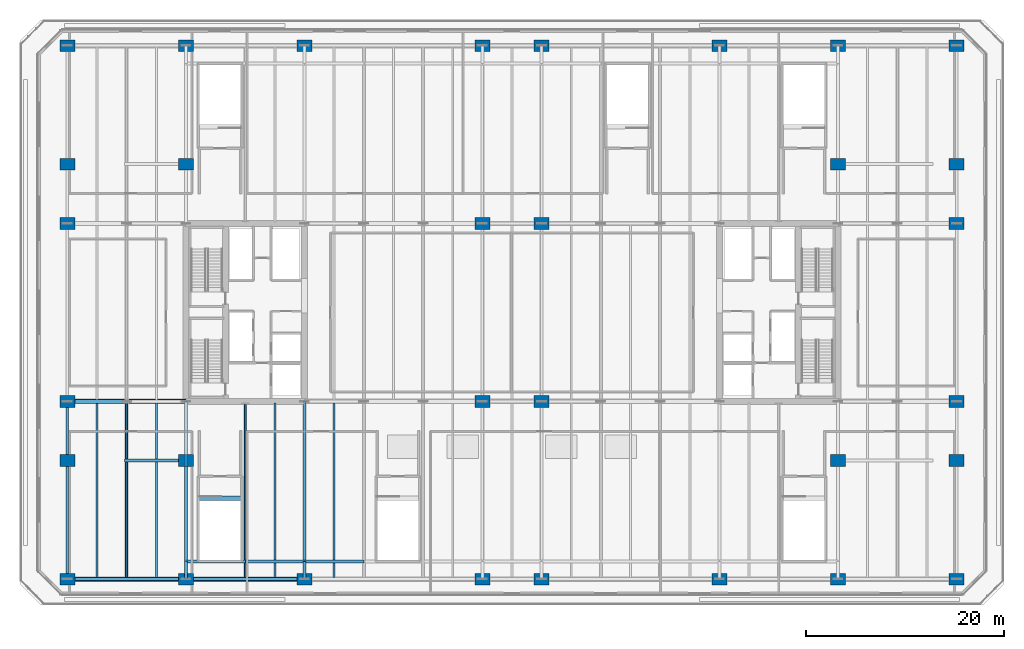
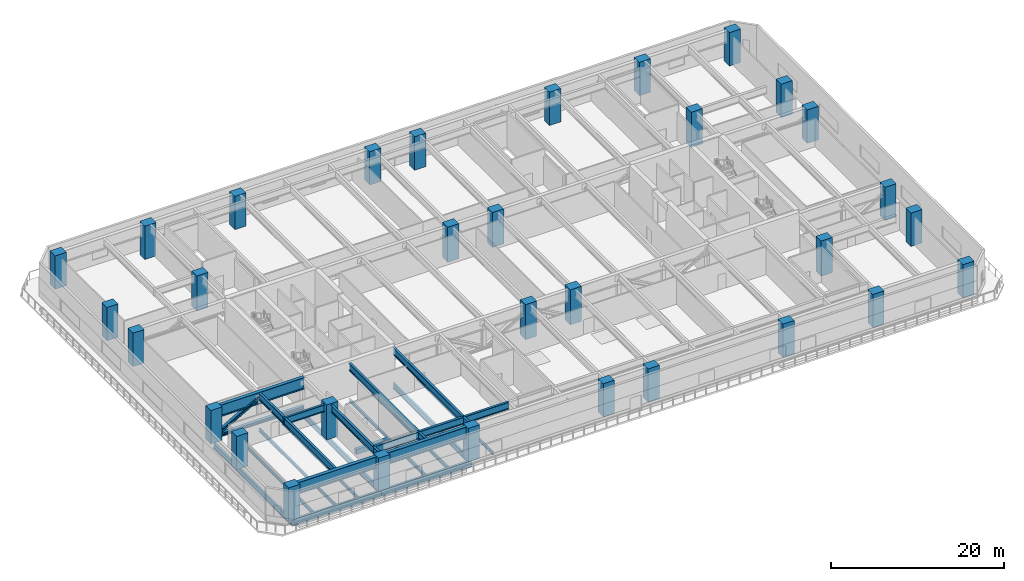
# One storey, part 1 of 25: 32 columns, 25 beams, 2 members.
"""IFC4 building model written with IfcOpenShell, lengths in metres."""

from ifc_helpers import new_model, si_unit, direction, frame, origin, origin_2d, place, context, subcontext, project, spatial, rectangle, i_section, extrude, material, material_profile, profile_set, type_object, element, save


model = new_model("IFC4")

# Units and contexts
model_context = context("Model", 3, precision=1e-05, world=origin(), true_north=direction((0.0, 1.0)))
body_context = subcontext(model_context, "Body", "Model", "MODEL_VIEW")
ifc_project = project(units=[si_unit("LENGTHUNIT", "METRE"), si_unit("AREAUNIT", "SQUARE_METRE"), si_unit("VOLUMEUNIT", "CUBIC_METRE"), si_unit("PLANEANGLEUNIT", "RADIAN"), si_unit("MASSUNIT", "GRAM", prefix="KILO")], contexts=[model_context])

# Site, building, storey
site_placement = place(None, origin())
site = spatial("IfcSite", under=ifc_project, at=site_placement, CompositionType="ELEMENT")
building_placement = place(site_placement, origin())
building = spatial("IfcBuilding", under=site, at=building_placement, Name="Tanjung Sevakor Pilgrim Tower", CompositionType="ELEMENT")
storey_placement = place(building_placement, frame((0.0, 0.0, 24.090087890625)))
storey = spatial("IfcBuildingStorey", under=building, at=storey_placement, Name="L06", CompositionType="ELEMENT", Elevation=24.090087890625)

# Columns
ifc_material_1 = material(Name="Concrete C60/75", Category="concrete")
ifc_material_profile_1 = material_profile(ifc_material_1, rectangle(XDim=1.5, YDim=1.199951171875, at=origin_2d()))
ifc_profile_set_1 = profile_set([ifc_material_profile_1], Name="Concrete C60/75")
column_type = type_object("IfcColumnType", Name="COL-C-M1500-RC_1500x1200", PredefinedType="COLUMN", material=ifc_profile_set_1)
for number, where, z_axis, x_axis, name in (
    (1, (12.0, 6.60009765625, 0.0), (0.0, 0.0, 1.0), (1.0, 0.0, 0.0), "L06 Column MC-012-066"),
    (2, (12.0, 24.60009765625, 0.0), (0.0, 0.0, 1.0), (1.0, 0.0, 0.0), "L06 Column MC-012-246"),
    (3, (12.0, 42.60009765625, 0.0), (0.0, 0.0, 1.0), (1.0, 0.0, 0.0), "L06 Column MC-012-426"),
    (4, (12.0, 60.60009765625, 0.0), (0.0, 0.0, 1.0), (1.0, 0.0, 0.0), "L06 Column MC-012-606"),
    (5, (24.0, 6.60009765625, 0.0), (0.0, 0.0, 1.0), (1.0, 0.0, 0.0), "L06 Column MC-024-066"),
    (6, (24.0, 60.60009765625, 0.0), (0.0, 0.0, 1.0), (1.0, 0.0, 0.0), "L06 Column MC-024-606"),
    (7, (36.0, 6.60009765625, 0.0), (0.0, 0.0, 1.0), (1.0, 0.0, 0.0), "L06 Column MC-036-066"),
    (8, (36.0, 60.60009765625, 0.0), (0.0, 0.0, 1.0), (1.0, 0.0, 0.0), "L06 Column MC-036-606"),
    (9, (54.0, 6.60009765625, 0.0), (0.0, 0.0, 1.0), (1.0, 0.0, 0.0), "L06 Column MC-054-066"),
):
    element("IfcColumn", number, at=place(storey_placement, frame(where, z_axis=z_axis, x_axis=x_axis)), inside=storey, type_object=column_type, Name=name, PredefinedType="COLUMN", context=body_context, shape_type="SweptSolid", body=[
        extrude(rectangle(XDim=1.5, YDim=1.199951171875, at=origin_2d()), origin(), (0.0, 0.0, 1.0), 4.7099609375),
    ])
for number, where, z_axis, x_axis, name in (
    (10, (54.0, 24.60009765625, 0.0), (0.0, 0.0, 1.0), (1.0, 0.0, 0.0), "L06 Column MC-054-246"),
    (11, (54.0, 42.60009765625, 0.0), (0.0, 0.0, 1.0), (1.0, 0.0, 0.0), "L06 Column MC-054-426"),
):
    element("IfcColumn", number, at=place(storey_placement, frame(where, z_axis=z_axis, x_axis=x_axis)), inside=storey, type_object=column_type, Name=name, PredefinedType="COLUMN", context=body_context, shape_type="SweptSolid", body=[
        extrude(rectangle(XDim=1.5, YDim=1.199951171875, at=origin_2d()), origin(), (0.0, 0.0, 1.0), 4.949951171875),
    ])
for number, where, z_axis, x_axis, name in (
    (12, (54.0, 60.60009765625, 0.0), (0.0, 0.0, 1.0), (1.0, 0.0, 0.0), "L06 Column MC-054-606"),
    (13, (60.0, 6.60009765625, 0.0), (0.0, 0.0, 1.0), (1.0, 0.0, 0.0), "L06 Column MC-060-066"),
):
    element("IfcColumn", number, at=place(storey_placement, frame(where, z_axis=z_axis, x_axis=x_axis)), inside=storey, type_object=column_type, Name=name, PredefinedType="COLUMN", context=body_context, shape_type="SweptSolid", body=[
        extrude(rectangle(XDim=1.5, YDim=1.199951171875, at=origin_2d()), origin(), (0.0, 0.0, 1.0), 4.7099609375),
    ])
for number, where, z_axis, x_axis, name in (
    (14, (60.0, 24.60009765625, 0.0), (0.0, 0.0, 1.0), (1.0, 0.0, 0.0), "L06 Column MC-060-246"),
    (15, (60.0, 42.60009765625, 0.0), (0.0, 0.0, 1.0), (1.0, 0.0, 0.0), "L06 Column MC-060-426"),
):
    element("IfcColumn", number, at=place(storey_placement, frame(where, z_axis=z_axis, x_axis=x_axis)), inside=storey, type_object=column_type, Name=name, PredefinedType="COLUMN", context=body_context, shape_type="SweptSolid", body=[
        extrude(rectangle(XDim=1.5, YDim=1.199951171875, at=origin_2d()), origin(), (0.0, 0.0, 1.0), 4.949951171875),
    ])
for number, where, z_axis, x_axis, name in (
    (16, (60.0, 60.60009765625, 0.0), (0.0, 0.0, 1.0), (1.0, 0.0, 0.0), "L06 Column MC-060-606"),
    (17, (78.0, 6.60009765625, 0.0), (0.0, 0.0, 1.0), (1.0, 0.0, 0.0), "L06 Column MC-078-066"),
    (18, (78.0, 60.60009765625, 0.0), (0.0, 0.0, 1.0), (1.0, 0.0, 0.0), "L06 Column MC-078-606"),
    (19, (90.0, 6.60009765625, 0.0), (0.0, 0.0, 1.0), (1.0, 0.0, 0.0), "L06 Column MC-090-066"),
    (20, (90.0, 60.60009765625, 0.0), (0.0, 0.0, 1.0), (1.0, 0.0, 0.0), "L06 Column MC-090-606"),
    (21, (102.0, 6.60009765625, 0.0), (0.0, 0.0, 1.0), (1.0, 0.0, 0.0), "L06 Column MC-102-066"),
    (22, (102.0, 24.60009765625, 0.0), (0.0, 0.0, 1.0), (1.0, 0.0, 0.0), "L06 Column MC-102-246"),
    (23, (102.0, 42.60009765625, 0.0), (0.0, 0.0, 1.0), (1.0, 0.0, 0.0), "L06 Column MC-102-426"),
    (24, (102.0, 60.60009765625, 0.0), (0.0, 0.0, 1.0), (1.0, 0.0, 0.0), "L06 Column MC-102-606"),
    (25, (12.0, 18.60009765625, 0.0), (0.0, 0.0, 1.0), (1.0, 0.0, 0.0), "L06 Column MCE-012-186"),
    (26, (12.0, 48.60009765625, 0.0), (0.0, 0.0, 1.0), (1.0, 0.0, 0.0), "L06 Column MCE-012-486"),
):
    element("IfcColumn", number, at=place(storey_placement, frame(where, z_axis=z_axis, x_axis=x_axis)), inside=storey, type_object=column_type, Name=name, PredefinedType="COLUMN", context=body_context, shape_type="SweptSolid", body=[
        extrude(rectangle(XDim=1.5, YDim=1.199951171875, at=origin_2d()), origin(), (0.0, 0.0, 1.0), 4.7099609375),
    ])
for number, where, z_axis, x_axis, name in (
    (27, (24.0, 18.60009765625, 0.0), (0.0, 0.0, 1.0), (1.0, 0.0, 0.0), "L06 Column MCE-024-186"),
    (28, (24.0, 48.60009765625, 0.0), (0.0, 0.0, 1.0), (1.0, 0.0, 0.0), "L06 Column MCE-024-486"),
    (29, (90.0, 18.60009765625, 0.0), (0.0, 0.0, 1.0), (1.0, 0.0, 0.0), "L06 Column MCE-090-186"),
    (30, (90.0, 48.60009765625, 0.0), (0.0, 0.0, 1.0), (1.0, 0.0, 0.0), "L06 Column MCE-090-486"),
):
    element("IfcColumn", number, at=place(storey_placement, frame(where, z_axis=z_axis, x_axis=x_axis)), inside=storey, type_object=column_type, Name=name, PredefinedType="COLUMN", context=body_context, shape_type="SweptSolid", body=[
        extrude(rectangle(XDim=1.5, YDim=1.199951171875, at=origin_2d()), origin(), (0.0, 0.0, 1.0), 4.949951171875),
    ])
for number, where, z_axis, x_axis, name in (
    (31, (102.0, 18.60009765625, 0.0), (0.0, 0.0, 1.0), (1.0, 0.0, 0.0), "L06 Column MCE-102-186"),
    (32, (102.0, 48.60009765625, 0.0), (0.0, 0.0, 1.0), (1.0, 0.0, 0.0), "L06 Column MCE-102-486"),
):
    element("IfcColumn", number, at=place(storey_placement, frame(where, z_axis=z_axis, x_axis=x_axis)), inside=storey, type_object=column_type, Name=name, PredefinedType="COLUMN", context=body_context, shape_type="SweptSolid", body=[
        extrude(rectangle(XDim=1.5, YDim=1.199951171875, at=origin_2d()), origin(), (0.0, 0.0, 1.0), 4.7099609375),
    ])

# Beams
ifc_material_2 = material(Name="Steel S355J2", Category="steel")
ifc_material_profile_2 = material_profile(ifc_material_2, i_section(OverallWidth=0.26806640625, OverallDepth=0.769775390625, WebThickness=0.015625, FlangeThickness=0.025390625, FilletRadius=0.0166015625, at=origin_2d()))
ifc_profile_set_2 = profile_set([ifc_material_profile_2], Name="Steel S355J2")
beam_type_1 = type_object("IfcBeamType", Name="BM-B-G1-UB_762x267x197", PredefinedType="BEAM", material=ifc_profile_set_2)
for number, where, z_axis, x_axis, name in (
    (33, (12.0, 6.60009765625, -0.735107421875), (0.0, 1.0, 0.0), (-1.0, 0.0, 0.0), "L06 Podium Girder NS X12-1"),
    (34, (24.0, 6.60009765625, -0.735107421875), (0.0, 1.0, 0.0), (-1.0, 0.0, 0.0), "L06 Podium Girder NS X24-1"),
    (35, (36.0, 6.60009765625, -0.735107421875), (0.0, 1.0, 0.0), (-1.0, 0.0, 0.0), "L06 Podium Girder NS X36-1"),
):
    element("IfcBeam", number, at=place(storey_placement, frame(where, z_axis=z_axis, x_axis=x_axis)), inside=storey, type_object=beam_type_1, Name=name, PredefinedType="BEAM", context=body_context, shape_type="SweptSolid", body=[
        extrude(i_section(OverallWidth=0.26806640625, OverallDepth=0.769775390625, WebThickness=0.015625, FlangeThickness=0.025390625, FilletRadius=0.0166015625, at=origin_2d()), origin(), (0.0, 0.0, 1.0), 18.0),
    ])
ifc_material_3 = material(Name="Steel S460M", Category="steel")
ifc_material_profile_3 = material_profile(ifc_material_3, i_section(OverallWidth=0.302001953125, OverallDepth=1.008056640625, WebThickness=0.02099609375, FlangeThickness=0.0400390625, FilletRadius=0.030029296875, at=origin_2d()))
ifc_profile_set_3 = profile_set([ifc_material_profile_3], Name="Steel S460M")
beam_type_2 = type_object("IfcBeamType", Name="BM-B-G7-HE_1000M", PredefinedType="BEAM", material=ifc_profile_set_3)
beam_1_placement = place(storey_placement, frame((18.0, 6.824951171875, 4.205810546875), z_axis=(0.0, 1.0, 0.0), x_axis=(-1.0, 0.0, 0.0)))
element("IfcBeam", 36, at=beam_1_placement, inside=storey, type_object=beam_type_2, Name="TC-2 L06 Transfer Truss Chord NS X18.0-1", PredefinedType="BEAM", context=body_context, shape_type="SweptSolid", body=[
    extrude(i_section(OverallWidth=0.302001953125, OverallDepth=1.008056640625, WebThickness=0.02099609375, FlangeThickness=0.0400390625, FilletRadius=0.030029296875, at=origin_2d()), origin(), (0.0, 0.0, 1.0), 17.550048828125),
])
beam_2_placement = place(storey_placement, frame((24.0, 6.60009765625, 4.205810546875), z_axis=(0.0, 1.0, 0.0), x_axis=(-1.0, 0.0, 0.0)))
element("IfcBeam", 37, at=beam_2_placement, inside=storey, type_object=beam_type_2, Name="TC-2 L06 Transfer Truss Chord NS X24.0-1", PredefinedType="BEAM", context=body_context, shape_type="SweptSolid", body=[
    extrude(i_section(OverallWidth=0.302001953125, OverallDepth=1.008056640625, WebThickness=0.02099609375, FlangeThickness=0.0400390625, FilletRadius=0.030029296875, at=origin_2d()), origin(), (0.0, 0.0, 1.0), 1.7998046875),
])
beam_3_placement = place(storey_placement, frame((24.0, 8.39990234375, 4.205810546875), z_axis=(0.0, 1.0, 0.0), x_axis=(-1.0, 0.0, 0.0)))
element("IfcBeam", 38, at=beam_3_placement, inside=storey, type_object=beam_type_2, Name="TC-2 L06 Transfer Truss Chord NS X24.0-2", PredefinedType="BEAM", context=body_context, shape_type="SweptSolid", body=[
    extrude(i_section(OverallWidth=0.302001953125, OverallDepth=1.008056640625, WebThickness=0.02099609375, FlangeThickness=0.0400390625, FilletRadius=0.030029296875, at=origin_2d()), origin(), (0.0, 0.0, 1.0), 10.2001953125),
])
beam_4_placement = place(storey_placement, frame((30.0, 6.824951171875, 4.205810546875), z_axis=(0.0, 1.0, 0.0), x_axis=(-1.0, 0.0, 0.0)))
element("IfcBeam", 39, at=beam_4_placement, inside=storey, type_object=beam_type_2, Name="TC-2 L06 Transfer Truss Chord NS X30.0-1", PredefinedType="BEAM", context=body_context, shape_type="SweptSolid", body=[
    extrude(i_section(OverallWidth=0.302001953125, OverallDepth=1.008056640625, WebThickness=0.02099609375, FlangeThickness=0.0400390625, FilletRadius=0.030029296875, at=origin_2d()), origin(), (0.0, 0.0, 1.0), 17.550048828125),
])
beam_5_placement = place(storey_placement, frame((36.0, 6.60009765625, 4.205810546875), z_axis=(0.0, 1.0, 0.0), x_axis=(-1.0, 0.0, 0.0)))
element("IfcBeam", 40, at=beam_5_placement, inside=storey, type_object=beam_type_2, Name="TC-2 L06 Transfer Truss Chord NS X36.0-1", PredefinedType="BEAM", context=body_context, shape_type="SweptSolid", body=[
    extrude(i_section(OverallWidth=0.302001953125, OverallDepth=1.008056640625, WebThickness=0.02099609375, FlangeThickness=0.0400390625, FilletRadius=0.030029296875, at=origin_2d()), origin(), (0.0, 0.0, 1.0), 1.7998046875),
])
beam_6_placement = place(storey_placement, frame((36.0, 8.39990234375, 4.205810546875), z_axis=(0.0, 1.0, 0.0), x_axis=(-1.0, 0.0, 0.0)))
element("IfcBeam", 41, at=beam_6_placement, inside=storey, type_object=beam_type_2, Name="TC-2 L06 Transfer Truss Chord NS X36.0-2", PredefinedType="BEAM", context=body_context, shape_type="SweptSolid", body=[
    extrude(i_section(OverallWidth=0.302001953125, OverallDepth=1.008056640625, WebThickness=0.02099609375, FlangeThickness=0.0400390625, FilletRadius=0.030029296875, at=origin_2d()), origin(), (0.0, 0.0, 1.0), 16.2001953125),
])
beam_7_placement = place(storey_placement, frame((17.800048828125, 18.60009765625, 4.205810546875), z_axis=(1.0, 0.0, 0.0), x_axis=(0.0, 1.0, 0.0)))
element("IfcBeam", 42, at=beam_7_placement, inside=storey, type_object=beam_type_2, Name="TC-1 L06 Short-End Transfer Girder Y18.6-1", PredefinedType="BEAM", context=body_context, shape_type="SweptSolid", body=[
    extrude(i_section(OverallWidth=0.302001953125, OverallDepth=1.008056640625, WebThickness=0.02099609375, FlangeThickness=0.0400390625, FilletRadius=0.030029296875, at=origin_2d()), origin(), (0.0, 0.0, 1.0), 6.199951171875),
])
for number, where, z_axis, x_axis, name in (
    (43, (24.0, 8.39990234375, 4.205810546875), (1.0, 0.0, 0.0), (0.0, 1.0, 0.0), "TC-3 L06 Transfer Truss Ring Chord Y8.4-01"),
    (44, (30.0, 8.39990234375, 4.205810546875), (1.0, 0.0, 0.0), (0.0, 1.0, 0.0), "TC-3 L06 Transfer Truss Ring Chord Y8.4-02"),
    (45, (36.0, 8.39990234375, 4.205810546875), (1.0, 0.0, 0.0), (0.0, 1.0, 0.0), "TC-3 L06 Transfer Truss Ring Chord Y8.4-03"),
):
    element("IfcBeam", number, at=place(storey_placement, frame(where, z_axis=z_axis, x_axis=x_axis)), inside=storey, type_object=beam_type_2, Name=name, PredefinedType="BEAM", context=body_context, shape_type="SweptSolid", body=[
        extrude(i_section(OverallWidth=0.302001953125, OverallDepth=1.008056640625, WebThickness=0.02099609375, FlangeThickness=0.0400390625, FilletRadius=0.030029296875, at=origin_2d()), origin(), (0.0, 0.0, 1.0), 6.0),
    ])
ifc_material_4 = material(Name="Steel S355J2", Category="steel")
ifc_material_profile_4 = material_profile(ifc_material_4, i_section(OverallWidth=0.19140625, OverallDepth=0.4599609375, WebThickness=0.010009765625, FlangeThickness=0.01611328125, FilletRadius=0.01025390625, at=origin_2d()))
ifc_profile_set_4 = profile_set([ifc_material_profile_4], Name="Steel S355J2")
beam_type_3 = type_object("IfcBeamType", Name="BM-B-J2-UB_457x191x82", PredefinedType="JOIST", material=ifc_profile_set_4)
for number, where, z_axis, x_axis, name in (
    (46, (15.0, 6.752685546875, -0.580078125), (0.0, 1.0, 0.0), (-1.0, 0.0, 0.0), "L06 Secondary Joist 001"),
    (47, (18.0, 6.752685546875, -0.580078125), (0.0, 1.0, 0.0), (-1.0, 0.0, 0.0), "L06 Secondary Joist 004"),
    (48, (21.0, 6.752685546875, -0.580078125), (0.0, 1.0, 0.0), (-1.0, 0.0, 0.0), "L06 Secondary Joist 007"),
    (49, (30.0, 6.752685546875, -0.580078125), (0.0, 1.0, 0.0), (-1.0, 0.0, 0.0), "L06 Secondary Joist 010"),
    (50, (33.0, 6.752685546875, -0.580078125), (0.0, 1.0, 0.0), (-1.0, 0.0, 0.0), "L06 Secondary Joist 012"),
    (51, (39.0, 6.752685546875, -0.580078125), (0.0, 1.0, 0.0), (-1.0, 0.0, 0.0), "L06 Secondary Joist 014"),
):
    element("IfcBeam", number, at=place(storey_placement, frame(where, z_axis=z_axis, x_axis=x_axis)), inside=storey, type_object=beam_type_3, Name=name, PredefinedType="JOIST", context=body_context, shape_type="SweptSolid", body=[
        extrude(i_section(OverallWidth=0.19140625, OverallDepth=0.4599609375, WebThickness=0.010009765625, FlangeThickness=0.01611328125, FilletRadius=0.01025390625, at=origin_2d()), origin(), (0.0, 0.0, 1.0), 17.694580078125),
    ])
ifc_material_5 = material(Name="Concrete C60/75", Category="concrete")
ifc_material_profile_5 = material_profile(ifc_material_5, rectangle(XDim=0.449951171875, YDim=0.699951171875, at=origin_2d()))
ifc_profile_set_5 = profile_set([ifc_material_profile_5], Name="Concrete C60/75")
beam_type_4 = type_object("IfcBeamType", Name="BM-B-LN3-RC-BM_450x700", PredefinedType="LINTEL", material=ifc_profile_set_5)
beam_8_placement = place(storey_placement, frame((25.25, 14.800048828125, -0.35009765625), z_axis=(1.0, 0.0, 0.0), x_axis=(0.0, 1.0, 0.0)))
element("IfcBeam", 52, at=beam_8_placement, inside=storey, type_object=beam_type_4, Name="L06 PS-1 Stair Threshold Beam", PredefinedType="LINTEL", context=body_context, shape_type="SweptSolid", body=[
    extrude(rectangle(XDim=0.449951171875, YDim=0.699951171875, at=origin_2d()), origin(), (0.0, 0.0, 1.0), 4.39990234375),
])
ifc_material_6 = material(Name="Steel S355J2", Category="steel")
ifc_material_profile_6 = material_profile(ifc_material_6, i_section(OverallWidth=0.305419921875, OverallDepth=0.91845703125, WebThickness=0.017333984375, FlangeThickness=0.02783203125, FilletRadius=0.01904296875, at=origin_2d()))
ifc_profile_set_6 = profile_set([ifc_material_profile_6], Name="Steel S355J2")
beam_type_5 = type_object("IfcBeamType", Name="BM-B-POD2-UB_914x305x253", PredefinedType="BEAM", material=ifc_profile_set_6)
for number, where, z_axis, x_axis, name in (
    (53, (12.0, 6.60009765625, -0.809326171875), (1.0, 0.0, 0.0), (0.0, 1.0, 0.0), "L06 Podium Girder EW Y6.6-1"),
    (54, (24.0, 6.60009765625, -0.809326171875), (1.0, 0.0, 0.0), (0.0, 1.0, 0.0), "L06 Podium Girder EW Y6.6-2"),
):
    element("IfcBeam", number, at=place(storey_placement, frame(where, z_axis=z_axis, x_axis=x_axis)), inside=storey, type_object=beam_type_5, Name=name, PredefinedType="BEAM", context=body_context, shape_type="SweptSolid", body=[
        extrude(i_section(OverallWidth=0.305419921875, OverallDepth=0.91845703125, WebThickness=0.017333984375, FlangeThickness=0.02783203125, FilletRadius=0.01904296875, at=origin_2d()), origin(), (0.0, 0.0, 1.0), 12.0),
    ])
ifc_material_7 = material(Name="Steel S460M", Category="steel")
ifc_material_profile_7 = material_profile(ifc_material_7, i_section(OverallWidth=0.449951171875, OverallDepth=1.64990234375, WebThickness=0.02392578125, FlangeThickness=0.0400390625, FilletRadius=0.02392578125, at=origin_2d()))
ifc_profile_set_7 = profile_set([ifc_material_profile_7], Name="Steel S460M")
beam_type_6 = type_object("IfcBeamType", Name="BM-B-TC1-PG_1650x450x40", PredefinedType="USERDEFINED", material=ifc_profile_set_7)
for number, where, z_axis, x_axis, name in (
    (55, (12.0, 6.60009765625, 3.885009765625), (1.0, 0.0, 0.0), (0.0, 1.0, 0.0), "TC-1 L06 Transfer Truss Top Chord Y6.6 S1"),
    (56, (24.0, 6.60009765625, 3.885009765625), (1.0, 0.0, 0.0), (0.0, 1.0, 0.0), "TC-1 L06 Transfer Truss Top Chord Y6.6 S2"),
    (57, (12.0, 24.60009765625, 3.885009765625), (1.0, 0.0, 0.0), (0.0, 1.0, 0.0), "TC-1 L06 Transfer Truss Top Chord Y24.6 S1"),
):
    element("IfcBeam", number, at=place(storey_placement, frame(where, z_axis=z_axis, x_axis=x_axis)), inside=storey, type_object=beam_type_6, Name=name, ObjectType="TRANSFER CHORD", PredefinedType="USERDEFINED", context=body_context, shape_type="SweptSolid", body=[
        extrude(i_section(OverallWidth=0.449951171875, OverallDepth=1.64990234375, WebThickness=0.02392578125, FlangeThickness=0.0400390625, FilletRadius=0.02392578125, at=origin_2d()), origin(), (0.0, 0.0, 1.0), 12.0),
    ])

# Members
ifc_material_8 = material(Name="Steel S460M", Category="steel")
ifc_material_profile_8 = material_profile(ifc_material_8, i_section(OverallWidth=0.412109375, OverallDepth=0.43505859375, WebThickness=0.035888671875, FlangeThickness=0.054931640625, FilletRadius=0.014892578125, at=origin_2d()))
ifc_profile_set_8 = profile_set([ifc_material_profile_8], Name="Steel S460M")
member_type_1 = type_object("IfcMemberType", Name="MEM-M-BR1-HD_400x463", PredefinedType="BRACE", material=ifc_profile_set_8)
member_1_placement = place(storey_placement, frame((12.0, 24.60009765625, 0.449951171875), z_axis=(0.867838662316, 0.0, 0.496846109163), x_axis=(0.0, 1.0, 0.0)))
element("IfcMember", 58, at=member_1_placement, inside=storey, type_object=member_type_1, Name="TD-1 L06 Transfer Truss Diagonal Brace Y24.6 P1", PredefinedType="BRACE", context=body_context, shape_type="SweptSolid", body=[
    extrude(i_section(OverallWidth=0.412109375, OverallDepth=0.43505859375, WebThickness=0.035888671875, FlangeThickness=0.054931640625, FilletRadius=0.014892578125, at=origin_2d()), origin(), (0.0, 0.0, 1.0), 6.913818359375),
])
ifc_material_9 = material(Name="Steel S460M", Category="steel")
ifc_material_profile_9 = material_profile(ifc_material_9, i_section(OverallWidth=0.4208984375, OverallDepth=0.465087890625, WebThickness=0.044921875, FlangeThickness=0.070068359375, FilletRadius=0.014892578125, at=origin_2d()))
ifc_profile_set_9 = profile_set([ifc_material_profile_9], Name="Steel S460M")
member_type_2 = type_object("IfcMemberType", Name="MEM-M-CH1-HD_400x592", PredefinedType="CHORD", material=ifc_profile_set_9)
member_2_placement = place(storey_placement, frame((12.0, 24.60009765625, 0.449951171875), z_axis=(1.0, 0.0, 0.0), x_axis=(0.0, 1.0, 0.0)))
element("IfcMember", 59, at=member_2_placement, inside=storey, type_object=member_type_2, Name="BC-1 L06 Transfer Truss Bottom Chord Y24.6 S1", PredefinedType="CHORD", context=body_context, shape_type="SweptSolid", body=[
    extrude(i_section(OverallWidth=0.4208984375, OverallDepth=0.465087890625, WebThickness=0.044921875, FlangeThickness=0.070068359375, FilletRadius=0.014892578125, at=origin_2d()), origin(), (0.0, 0.0, 1.0), 12.0),
])

save(model, "model.ifc")
